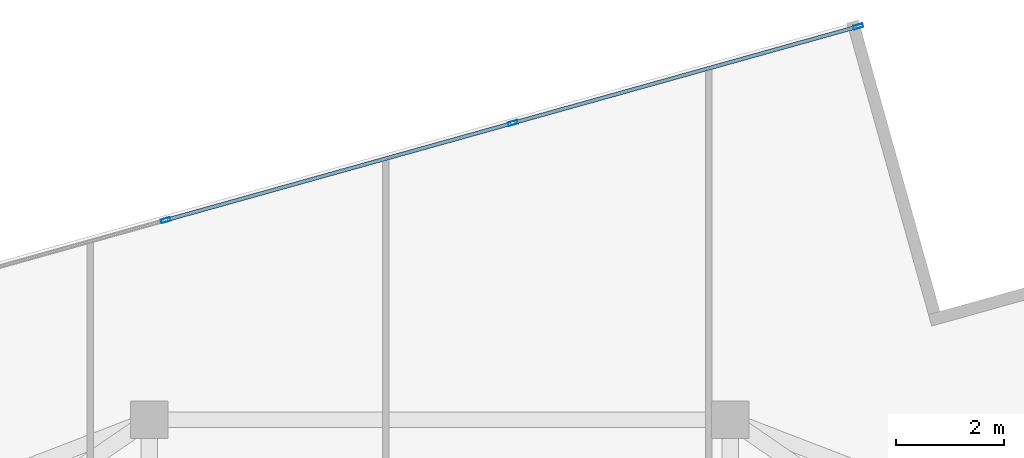
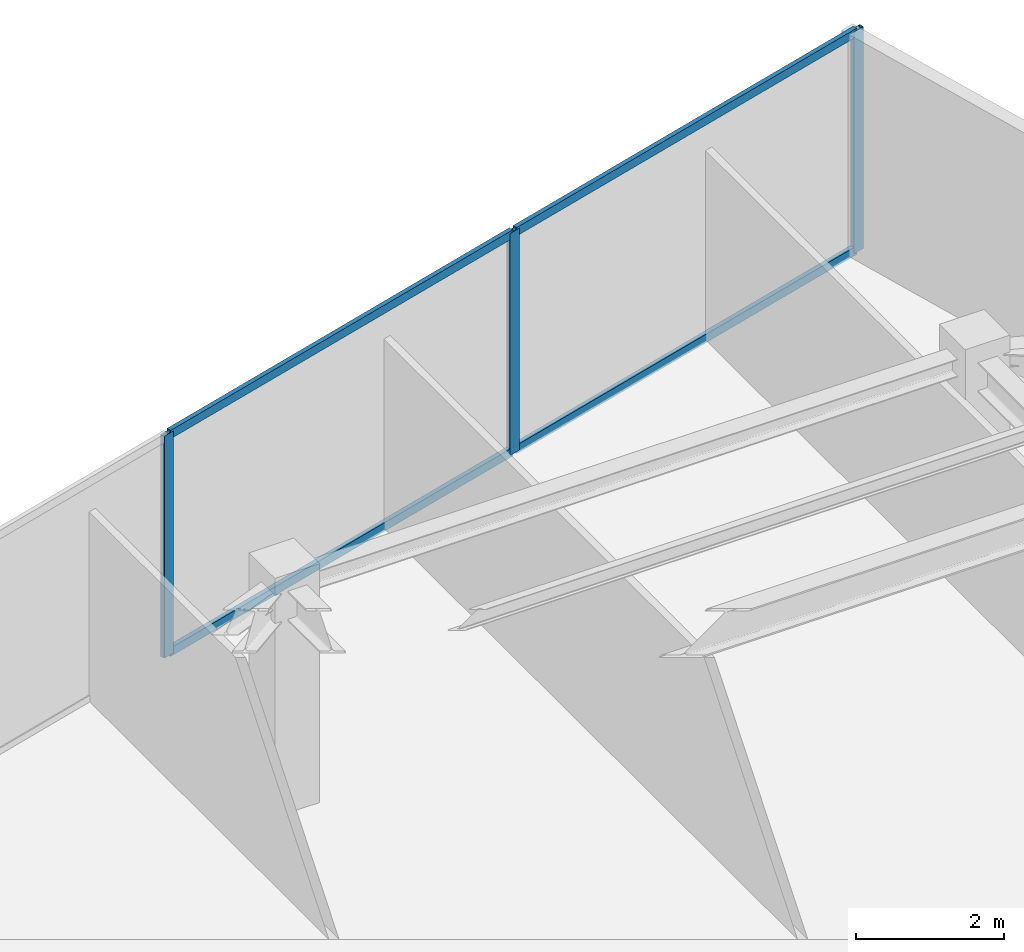
# One storey, part 14 of 21: 7 members, 1 element without a shape of its own.
"""IFC4 building model written with IfcOpenShell, lengths in metres."""

from ifc_helpers import new_model, si_unit, direction, frame, origin, origin_2d, place, context, subcontext, project, spatial, hollow_rectangle, extrude, source, transform, mapped, material, material_profile, profile_set, type_object, type_shapes, element, aggregate, save


model = new_model("IFC4")

# Units and contexts
model_context = context("Model", 3, precision=1e-05, world=origin(), true_north=direction((0.0, 1.0)))
body_context = subcontext(model_context, "Body", "Model", "MODEL_VIEW")
ifc_project = project(units=[si_unit("LENGTHUNIT", "METRE"), si_unit("AREAUNIT", "SQUARE_METRE"), si_unit("VOLUMEUNIT", "CUBIC_METRE"), si_unit("PLANEANGLEUNIT", "RADIAN"), si_unit("MASSUNIT", "GRAM", prefix="KILO")], contexts=[model_context])

# Site, building, storey
site_placement = place(None, origin())
site = spatial("IfcSite", under=ifc_project, at=site_placement, CompositionType="ELEMENT")
building_placement = place(site_placement, origin())
building = spatial("IfcBuilding", under=site, at=building_placement, Name="Krantzveldt Concourse Tower", CompositionType="ELEMENT")
storey_placement = place(building_placement, frame((0.0, 0.0, 347.449951171875)))
storey = spatial("IfcBuildingStorey", under=building, at=storey_placement, Name="L85", CompositionType="ELEMENT", Elevation=347.449951171875)

# Curtain wall, members
ifc_material = material(Name="Anodised aluminium 6063-T6", Category="aluminium")
curtain_wall_type = type_object("IfcCurtainWallType", Name="CW4", PredefinedType="USERDEFINED", material=ifc_material)
curtain_wall_placement = place(storey_placement, origin())
curtain_wall = element("IfcCurtainWall", 1, at=curtain_wall_placement, inside=storey, type_object=curtain_wall_type, Name="CW-L85-F01", ObjectType="UNITISED CURTAIN WALL", PredefinedType="USERDEFINED")
ifc_material_profile_1 = material_profile(ifc_material, hollow_rectangle(XDim=0.070068359375, YDim=0.179931640625, WallThickness=0.0048828125, at=origin_2d()), Name="Anodised aluminium 6063-T6", Category="aluminium")
ifc_profile_set_1 = profile_set([ifc_material_profile_1], Name="Anodised aluminium 6063-T6 - ALU-MULL 180x70x5")
member_type_1 = type_object("IfcMemberType", Name="CW-MUL-180", PredefinedType="MULLION", material=ifc_profile_set_1)
shared_shape_1 = source(origin(), body_context, "Body", "SweptSolid", [
    extrude(hollow_rectangle(XDim=0.070068359375, YDim=0.179931640625, WallThickness=0.0048828125, at=origin_2d()), origin(), (0.0, 0.0, 1.0), 3.670166015625),
])
type_shapes(member_type_1, [shared_shape_1])
member_1_placement = place(storey_placement, frame((43.77783203125, 48.510986328125, 0.0), z_axis=(0.0, 0.0, 1.0), x_axis=(0.269339931454, -0.963045170968, 0.0)))
member_1 = element("IfcMember", 2, at=member_1_placement, type_object=member_type_1, Name="CW-Z56 mullion 1", PredefinedType="MULLION", context=body_context, shape_type="MappedRepresentation", body=[
    mapped(shared_shape_1, transform((0.0, 0.0, 0.0), x_axis=(1.0, 0.0, 0.0), y_axis=(0.0, 1.0, 0.0), z_axis=(0.0, 0.0, 1.0), scale=1.0)),
])
member_2_placement = place(storey_placement, frame((37.359130859375, 46.7158203125, 0.0), z_axis=(0.0, 0.0, 1.0), x_axis=(0.269339931454, -0.963045170968, 0.0)))
member_2 = element("IfcMember", 3, at=member_2_placement, type_object=member_type_1, Name="CW-Z56 mullion 2", PredefinedType="MULLION", context=body_context, shape_type="MappedRepresentation", body=[
    mapped(shared_shape_1, transform((0.0, 0.0, 0.0), x_axis=(1.0, 0.0, 0.0), y_axis=(0.0, 1.0, 0.0), z_axis=(0.0, 0.0, 1.0), scale=1.0)),
])
member_3_placement = place(storey_placement, frame((30.90673828125, 44.9111328125, 0.0), z_axis=(0.0, 0.0, 1.0), x_axis=(0.269339931454, -0.963045170968, 0.0)))
member_3 = element("IfcMember", 4, at=member_3_placement, type_object=member_type_1, Name="CW-Z56 mullion 3", PredefinedType="MULLION", context=body_context, shape_type="MappedRepresentation", body=[
    mapped(shared_shape_1, transform((0.0, 0.0, 0.0), x_axis=(1.0, 0.0, 0.0), y_axis=(0.0, 1.0, 0.0), z_axis=(0.0, 0.0, 1.0), scale=1.0)),
])
ifc_material_profile_2 = material_profile(ifc_material, hollow_rectangle(XDim=0.070068359375, YDim=0.139892578125, WallThickness=0.0048828125, at=origin_2d()), Name="Anodised aluminium 6063-T6", Category="aluminium")
ifc_profile_set_2 = profile_set([ifc_material_profile_2], Name="Anodised aluminium 6063-T6 - ALU-TRAN 140x70x5")
member_type_2 = type_object("IfcMemberType", Name="CW-TRN-150", PredefinedType="USERDEFINED", material=ifc_profile_set_2)
shared_shape_2 = source(origin(), body_context, "Body", "SweptSolid", [
    extrude(hollow_rectangle(XDim=0.070068359375, YDim=0.139892578125, WallThickness=0.0048828125, at=origin_2d()), origin(), (0.0, 0.0, 1.0), 6.594970703125),
])
member_4_placement = place(storey_placement, frame((43.744140625, 48.50146484375, 0.03515625), z_axis=(-0.963042794459, -0.269348428694, 0.0), x_axis=(0.269348428694, -0.963042794459, 0.0)))
member_4 = element("IfcMember", 5, at=member_4_placement, type_object=member_type_2, Name="CW-Z56 transom 1.1", ObjectType="TRANSOM", PredefinedType="USERDEFINED", context=body_context, shape_type="MappedRepresentation", body=[
    mapped(shared_shape_2, transform((0.0, 0.0, 0.0), x_axis=(1.0, 0.0, 0.0), y_axis=(0.0, 1.0, 0.0), z_axis=(0.0, 0.0, 1.0), scale=1.0)),
])
member_5_placement = place(storey_placement, frame((43.744140625, 48.50146484375, 3.635009765625), z_axis=(-0.963042794459, -0.269348428694, 0.0), x_axis=(0.269348428694, -0.963042794459, 0.0)))
member_5 = element("IfcMember", 6, at=member_5_placement, type_object=member_type_2, Name="CW-Z56 transom 1.2", ObjectType="TRANSOM", PredefinedType="USERDEFINED", context=body_context, shape_type="MappedRepresentation", body=[
    mapped(shared_shape_2, transform((0.0, 0.0, 0.0), x_axis=(1.0, 0.0, 0.0), y_axis=(0.0, 1.0, 0.0), z_axis=(0.0, 0.0, 1.0), scale=1.0)),
])
shared_shape_3 = source(origin(), body_context, "Body", "SweptSolid", [
    extrude(hollow_rectangle(XDim=0.070068359375, YDim=0.139892578125, WallThickness=0.0048828125, at=origin_2d()), origin(), (0.0, 0.0, 1.0), 6.6298828125),
])
type_shapes(member_type_2, [shared_shape_2, shared_shape_3])
member_6_placement = place(storey_placement, frame((37.325439453125, 46.706298828125, 0.03515625), z_axis=(-0.963048491931, -0.269328056819, 0.0), x_axis=(0.269328056819, -0.963048491931, 0.0)))
member_6 = element("IfcMember", 7, at=member_6_placement, type_object=member_type_2, Name="CW-Z56 transom 2.1", ObjectType="TRANSOM", PredefinedType="USERDEFINED", context=body_context, shape_type="MappedRepresentation", body=[
    mapped(shared_shape_3, transform((0.0, 0.0, 0.0), x_axis=(1.0, 0.0, 0.0), y_axis=(0.0, 1.0, 0.0), z_axis=(0.0, 0.0, 1.0), scale=1.0)),
])
member_7_placement = place(storey_placement, frame((37.325439453125, 46.706298828125, 3.635009765625), z_axis=(-0.963048491931, -0.269328056819, 0.0), x_axis=(0.269328056819, -0.963048491931, 0.0)))
member_7 = element("IfcMember", 8, at=member_7_placement, type_object=member_type_2, Name="CW-Z56 transom 2.2", ObjectType="TRANSOM", PredefinedType="USERDEFINED", context=body_context, shape_type="MappedRepresentation", body=[
    mapped(shared_shape_3, transform((0.0, 0.0, 0.0), x_axis=(1.0, 0.0, 0.0), y_axis=(0.0, 1.0, 0.0), z_axis=(0.0, 0.0, 1.0), scale=1.0)),
])
aggregate(curtain_wall, [member_1, member_2, member_3, member_4, member_5, member_6, member_7])

save(model, "model.ifc")
